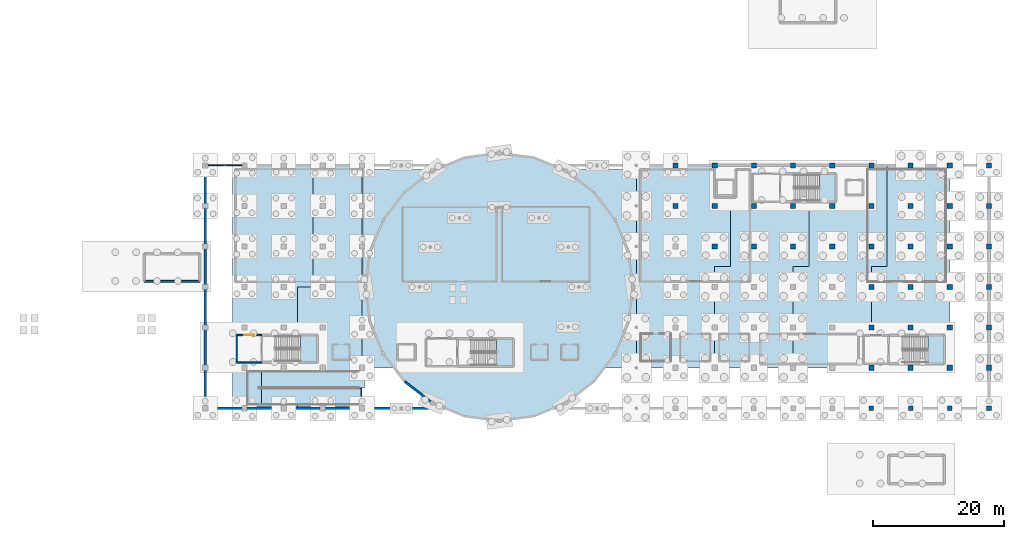
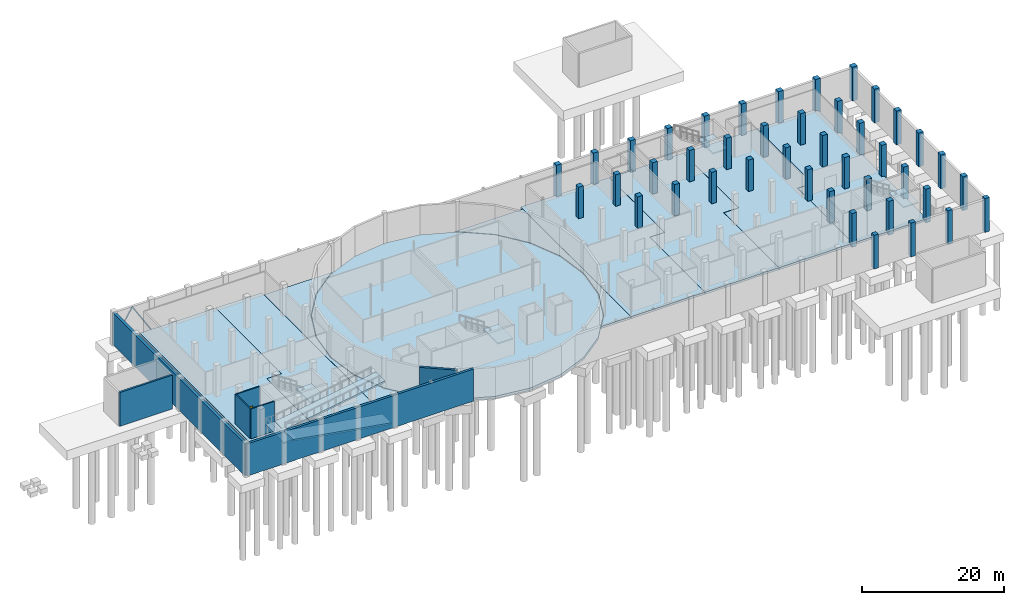
# One storey, part 10 of 19: 42 columns, 16 slabs, 7 walls, 2 members, 1 door, 1 opening, 5 elements without a shape of their own.
"""IFC4 building model written with IfcOpenShell, lengths in metres."""

from ifc_helpers import new_model, si_unit, direction, frame, frame_2d, origin, origin_2d, place, context, subcontext, project, spatial, polyline, rectangle, hollow_circle, outline, extrude, material, layer, layer_set, material_profile, profile_set, type_object, element, fill, aggregate, save


model = new_model("IFC4")

# Units and contexts
model_context = context("Model", 3, precision=1e-05, world=origin(), true_north=direction((0.0, 1.0)))
body_context = subcontext(model_context, "Body", "Model", "MODEL_VIEW")
ifc_project = project(units=[si_unit("LENGTHUNIT", "METRE"), si_unit("AREAUNIT", "SQUARE_METRE"), si_unit("VOLUMEUNIT", "CUBIC_METRE"), si_unit("PLANEANGLEUNIT", "RADIAN"), si_unit("MASSUNIT", "GRAM", prefix="KILO")], contexts=[model_context])

# Site, building, storey
site_placement = place(None, origin())
site = spatial("IfcSite", under=ifc_project, at=site_placement, CompositionType="ELEMENT")
building_placement = place(site_placement, origin())
building = spatial("IfcBuilding", under=site, at=building_placement, Name="Mirzam Square Science Centre", CompositionType="ELEMENT")
storey_placement = place(building_placement, frame((0.0, 0.0, -5.39990234375)))
storey = spatial("IfcBuildingStorey", under=building, at=storey_placement, Name="B01", CompositionType="ELEMENT", Elevation=-5.39990234375)

# Columns
ifc_material_1 = material(Name="Concrete C45/55", Category="concrete")
ifc_material_profile_1 = material_profile(ifc_material_1, rectangle(XDim=0.699951171875, YDim=0.699951171875, at=origin_2d()), Name="RC700x700")
ifc_profile_set_1 = profile_set([ifc_material_profile_1], Name="Concrete C45/55")
column_type_1 = type_object("IfcColumnType", Name="COL-RC700", PredefinedType="COLUMN", material=ifc_profile_set_1)
for number, where, z_axis, x_axis, name in (
    (1, (138.0, 43.39990234375, -0.400146484375), (0.0, 0.0, 1.0), (1.0, 0.0, 0.0), "B01 column G24-08"),
    (2, (144.0, 43.39990234375, -0.400146484375), (0.0, 0.0, 1.0), (1.0, 0.0, 0.0), "B01 column G25-08"),
    (3, (150.0, 43.39990234375, -0.400146484375), (0.0, 0.0, 1.0), (1.0, 0.0, 0.0), "B01 column G26-08"),
    (4, (156.0, 43.39990234375, -0.400146484375), (0.0, 0.0, 1.0), (1.0, 0.0, 0.0), "B01 column G27-08"),
):
    element("IfcColumn", number, at=place(storey_placement, frame(where, z_axis=z_axis, x_axis=x_axis)), inside=storey, type_object=column_type_1, Name=name, PredefinedType="COLUMN", context=body_context, shape_type="SweptSolid", body=[
        extrude(rectangle(XDim=0.699951171875, YDim=0.699951171875, at=origin_2d()), origin(), (0.0, 0.0, 1.0), 5.800048828125),
    ])
ifc_material_profile_2 = material_profile(ifc_material_1, rectangle(XDim=0.800048828125, YDim=0.800048828125, at=origin_2d()), Name="RC800x800")
ifc_profile_set_2 = profile_set([ifc_material_profile_2], Name="Concrete C45/55")
column_type_2 = type_object("IfcColumnType", Name="COL-RC800", PredefinedType="COLUMN", material=ifc_profile_set_2)
for number, where, z_axis, x_axis, name in (
    (5, (108.0, 74.39990234375, -0.400146484375), (0.0, 0.0, 1.0), (1.0, 0.0, 0.0), "B01 column G19-13"),
    (6, (108.0, 80.60009765625, -0.400146484375), (0.0, 0.0, 1.0), (1.0, 0.0, 0.0), "B01 column G19-14"),
    (7, (114.0, 68.199951171875, -0.400146484375), (0.0, 0.0, 1.0), (1.0, 0.0, 0.0), "B01 column G20-12"),
    (8, (114.0, 74.39990234375, -0.400146484375), (0.0, 0.0, 1.0), (1.0, 0.0, 0.0), "B01 column G20-13"),
    (9, (114.0, 80.60009765625, -0.400146484375), (0.0, 0.0, 1.0), (1.0, 0.0, 0.0), "B01 column G20-14"),
    (10, (120.0, 68.199951171875, -0.400146484375), (0.0, 0.0, 1.0), (1.0, 0.0, 0.0), "B01 column G21-12"),
    (11, (120.0, 74.39990234375, -0.400146484375), (0.0, 0.0, 1.0), (1.0, 0.0, 0.0), "B01 column G21-13"),
    (12, (120.0, 80.60009765625, -0.400146484375), (0.0, 0.0, 1.0), (1.0, 0.0, 0.0), "B01 column G21-14"),
    (13, (126.0, 68.199951171875, -0.400146484375), (0.0, 0.0, 1.0), (1.0, 0.0, 0.0), "B01 column G22-12"),
    (14, (126.0, 74.39990234375, -0.400146484375), (0.0, 0.0, 1.0), (1.0, 0.0, 0.0), "B01 column G22-13"),
    (15, (126.0, 80.60009765625, -0.400146484375), (0.0, 0.0, 1.0), (1.0, 0.0, 0.0), "B01 column G22-14"),
    (16, (132.0, 68.199951171875, -0.400146484375), (0.0, 0.0, 1.0), (1.0, 0.0, 0.0), "B01 column G23-12"),
    (17, (132.0, 74.39990234375, -0.400146484375), (0.0, 0.0, 1.0), (1.0, 0.0, 0.0), "B01 column G23-13"),
    (18, (132.0, 80.60009765625, -0.400146484375), (0.0, 0.0, 1.0), (1.0, 0.0, 0.0), "B01 column G23-14"),
    (19, (138.0, 49.60009765625, -0.400146484375), (0.0, 0.0, 1.0), (1.0, 0.0, 0.0), "B01 column G24-09"),
    (20, (138.0, 55.800048828125, -0.400146484375), (0.0, 0.0, 1.0), (1.0, 0.0, 0.0), "B01 column G24-10"),
    (21, (138.0, 62.0, -0.400146484375), (0.0, 0.0, 1.0), (1.0, 0.0, 0.0), "B01 column G24-11"),
    (22, (138.0, 68.199951171875, -0.400146484375), (0.0, 0.0, 1.0), (1.0, 0.0, 0.0), "B01 column G24-12"),
    (23, (138.0, 74.39990234375, -0.400146484375), (0.0, 0.0, 1.0), (1.0, 0.0, 0.0), "B01 column G24-13"),
    (24, (138.0, 80.60009765625, -0.400146484375), (0.0, 0.0, 1.0), (1.0, 0.0, 0.0), "B01 column G24-14"),
    (25, (144.0, 49.60009765625, -0.400146484375), (0.0, 0.0, 1.0), (1.0, 0.0, 0.0), "B01 column G25-09"),
    (26, (144.0, 55.800048828125, -0.400146484375), (0.0, 0.0, 1.0), (1.0, 0.0, 0.0), "B01 column G25-10"),
    (27, (144.0, 62.0, -0.400146484375), (0.0, 0.0, 1.0), (1.0, 0.0, 0.0), "B01 column G25-11"),
    (28, (144.0, 68.199951171875, -0.400146484375), (0.0, 0.0, 1.0), (1.0, 0.0, 0.0), "B01 column G25-12"),
    (29, (144.0, 74.39990234375, -0.400146484375), (0.0, 0.0, 1.0), (1.0, 0.0, 0.0), "B01 column G25-13"),
    (30, (144.0, 80.60009765625, -0.400146484375), (0.0, 0.0, 1.0), (1.0, 0.0, 0.0), "B01 column G25-14"),
    (31, (150.0, 49.60009765625, -0.400146484375), (0.0, 0.0, 1.0), (1.0, 0.0, 0.0), "B01 column G26-09"),
    (32, (150.0, 55.800048828125, -0.400146484375), (0.0, 0.0, 1.0), (1.0, 0.0, 0.0), "B01 column G26-10"),
    (33, (150.0, 62.0, -0.400146484375), (0.0, 0.0, 1.0), (1.0, 0.0, 0.0), "B01 column G26-11"),
    (34, (150.0, 68.199951171875, -0.400146484375), (0.0, 0.0, 1.0), (1.0, 0.0, 0.0), "B01 column G26-12"),
    (35, (150.0, 74.39990234375, -0.400146484375), (0.0, 0.0, 1.0), (1.0, 0.0, 0.0), "B01 column G26-13"),
    (36, (150.0, 80.60009765625, -0.400146484375), (0.0, 0.0, 1.0), (1.0, 0.0, 0.0), "B01 column G26-14"),
    (37, (156.0, 49.60009765625, -0.400146484375), (0.0, 0.0, 1.0), (1.0, 0.0, 0.0), "B01 column G27-09"),
    (38, (156.0, 55.800048828125, -0.400146484375), (0.0, 0.0, 1.0), (1.0, 0.0, 0.0), "B01 column G27-10"),
    (39, (156.0, 62.0, -0.400146484375), (0.0, 0.0, 1.0), (1.0, 0.0, 0.0), "B01 column G27-11"),
    (40, (156.0, 68.199951171875, -0.400146484375), (0.0, 0.0, 1.0), (1.0, 0.0, 0.0), "B01 column G27-12"),
    (41, (156.0, 74.39990234375, -0.400146484375), (0.0, 0.0, 1.0), (1.0, 0.0, 0.0), "B01 column G27-13"),
    (42, (156.0, 80.60009765625, -0.400146484375), (0.0, 0.0, 1.0), (1.0, 0.0, 0.0), "B01 column G27-14"),
):
    element("IfcColumn", number, at=place(storey_placement, frame(where, z_axis=z_axis, x_axis=x_axis)), inside=storey, type_object=column_type_2, Name=name, PredefinedType="COLUMN", context=body_context, shape_type="SweptSolid", body=[
        extrude(rectangle(XDim=0.800048828125, YDim=0.800048828125, at=origin_2d()), origin(), (0.0, 0.0, 1.0), 5.800048828125),
    ])

# Members
ifc_material_2 = material(Name="Steel S355", Category="steel")
ifc_material_profile_3 = material_profile(ifc_material_2, hollow_circle(Radius=0.109619140625, WallThickness=0.010009765625, at=origin_2d()), Name="219.1x10.0CHS")
ifc_profile_set_3 = profile_set([ifc_material_profile_3], Name="Steel S355")
member_type = type_object("IfcMemberType", Name="BR-CHS219", PredefinedType="BRACE", material=ifc_profile_set_3)
for number, where, z_axis, x_axis, name in (
    (43, (36.0, 80.60009765625, 0.0498046875), (0.524097425664, 0.0, 0.851658316705), (0.0, 1.0, 0.0), "B01 chevron brace 3A"),
    (44, (42.0, 80.60009765625, 0.0498046875), (-0.524097425664, 0.0, 0.851658316705), (0.0, -1.0, 0.0), "B01 chevron brace 3B"),
):
    element("IfcMember", number, at=place(storey_placement, frame(where, z_axis=z_axis, x_axis=x_axis)), inside=storey, type_object=member_type, Name=name, PredefinedType="BRACE", context=body_context, shape_type="SweptSolid", body=[
        extrude(hollow_circle(Radius=0.109619140625, WallThickness=0.010009765625, at=origin_2d()), origin(), (0.0, 0.0, 1.0), 5.72412109375),
    ])

# Assembly, slabs
element_assembly_type = type_object("IfcElementAssemblyType", Name="RMP-VEH-08", PredefinedType="NOTDEFINED", material=ifc_material_1)
assembly_placement = place(storey_placement, origin())
assembly = element("IfcElementAssembly", 45, at=assembly_placement, inside=storey, type_object=element_assembly_type, Name="B01 two-way car park ramp", PredefinedType="NOTDEFINED")
ifc_layer_1 = layer(ifc_material_1, 0.280029296875)
ifc_layer_set_1 = layer_set([ifc_layer_1], Name="Concrete C45/55")
slab_type_1 = type_object("IfcSlabType", Name="RFL-VEH-280", PredefinedType="FLOOR", material=ifc_layer_set_1)
slab_1_placement = place(storey_placement, frame((59.85009765625, 43.89990234375, 0.0), z_axis=(0.166899609646, 0.0, 0.98597389433), x_axis=(-0.98597389433, 0.0, 0.166899609646)))
slab_1 = element("IfcSlab", 46, at=slab_1_placement, type_object=slab_type_1, Name="B01 vehicle ramp lower flight", PredefinedType="FLOOR", context=body_context, shape_type="SweptSolid", body=[
    extrude(outline(polyline([(0.0, 0.0), (16.177096984236886, 0.0), (16.177096984236886, -2.550048828125), (0.0, -2.550048828125), (0.0, 0.0)])), origin(), (0.0, 0.0, -1.0), 0.280029296875),
])
slab_2_placement = place(storey_placement, frame((43.89990234375, 46.550048828125, 2.699951171875), z_axis=(-0.161961832568, 0.0, 0.986797023096), x_axis=(0.986797023096, 0.0, 0.161961832568)))
slab_2 = element("IfcSlab", 47, at=slab_2_placement, type_object=slab_type_1, Name="B01 vehicle ramp upper flight", PredefinedType="FLOOR", context=body_context, shape_type="SweptSolid", body=[
    extrude(outline(polyline([(0.0, 0.0), (16.6702928033645, 0.0), (16.6702928033645, 2.5500488281250004), (0.0, 2.5500488281250004), (0.0, 0.0)])), origin(), (0.0, 0.0, -1.0), 0.280029296875),
])

# Stair, slab
ifc_material_3 = material(Name="Concrete C40/50", Category="concrete")
stair_type_1 = type_object("IfcStairType", Name="ST-CORE-1-540", PredefinedType="HALF_TURN_STAIR", material=ifc_material_3)
stair_1_placement = place(storey_placement, origin())
stair_1 = element("IfcStair", 48, at=stair_1_placement, inside=storey, type_object=stair_type_1, Name="B01 ST-01", PredefinedType="HALF_TURN_STAIR")
ifc_layer_2 = layer(ifc_material_3, 0.199951171875)
ifc_layer_set_2 = layer_set([ifc_layer_2], Name="SL-LANDING-200")
slab_type_2 = type_object("IfcSlabType", Name="SL-LANDING-200", PredefinedType="LANDING", material=ifc_layer_set_2)
slab_3_placement = place(storey_placement, frame((0.0, 0.0, 2.5)))
slab_3 = element("IfcSlab", 49, at=slab_3_placement, type_object=slab_type_2, Name="ST-01 landing 1", PredefinedType="LANDING", context=body_context, shape_type="SweptSolid", body=[
    extrude(outline(polyline([(50.570068359375, 50.550048828125), (53.050048828125, 50.550048828125), (53.050048828125, 54.5), (50.570068359375, 54.5), (50.570068359375, 50.550048828125)])), origin(), (0.0, 0.0, 1.0), 0.199951171875),
])
aggregate(stair_1, [slab_3])

stair_type_2 = type_object("IfcStairType", Name="ST-CORE-3-540", PredefinedType="HALF_TURN_STAIR", material=ifc_material_3)
stair_2_placement = place(storey_placement, origin())
stair_2 = element("IfcStair", 50, at=stair_2_placement, inside=storey, type_object=stair_type_2, Name="B01 ST-03", PredefinedType="HALF_TURN_STAIR")
slab_4_placement = place(storey_placement, frame((0.0, 0.0, 2.5)))
slab_4 = element("IfcSlab", 51, at=slab_4_placement, type_object=slab_type_2, Name="ST-03 landing 1", PredefinedType="LANDING", context=body_context, shape_type="SweptSolid", body=[
    extrude(outline(polyline([(80.610107421875, 49.949951171875), (83.050048828125, 49.949951171875), (83.050048828125, 53.97998046875), (80.610107421875, 53.97998046875), (80.610107421875, 49.949951171875)])), origin(), (0.0, 0.0, 1.0), 0.199951171875),
])
aggregate(stair_2, [slab_4])

stair_type_3 = type_object("IfcStairType", Name="ST-CORE-4-540", PredefinedType="HALF_TURN_STAIR", material=ifc_material_3)
stair_3_placement = place(storey_placement, origin())
stair_3 = element("IfcStair", 52, at=stair_3_placement, inside=storey, type_object=stair_type_3, Name="B01 ST-04", PredefinedType="HALF_TURN_STAIR")
slab_5_placement = place(storey_placement, frame((0.0, 0.0, 2.5)))
slab_5 = element("IfcSlab", 53, at=slab_5_placement, type_object=slab_type_2, Name="ST-04 landing 1", PredefinedType="LANDING", context=body_context, shape_type="SweptSolid", body=[
    extrude(outline(polyline([(130.030029296875, 75.14990234375), (132.449951171875, 75.14990234375), (132.449951171875, 79.219970703125), (130.030029296875, 79.219970703125), (130.030029296875, 75.14990234375)])), origin(), (0.0, 0.0, 1.0), 0.199951171875),
])
aggregate(stair_3, [slab_5])

stair_type_4 = type_object("IfcStairType", Name="ST-CORE-5-540", PredefinedType="HALF_TURN_STAIR", material=ifc_material_3)
stair_4_placement = place(storey_placement, origin())
stair_4 = element("IfcStair", 54, at=stair_4_placement, inside=storey, type_object=stair_type_4, Name="B01 ST-05", PredefinedType="HALF_TURN_STAIR")
slab_6_placement = place(storey_placement, frame((0.0, 0.0, 2.5)))
slab_6 = element("IfcSlab", 55, at=slab_6_placement, type_object=slab_type_2, Name="ST-05 landing 1", PredefinedType="LANDING", context=body_context, shape_type="SweptSolid", body=[
    extrude(outline(polyline([(146.64990234375, 50.35009765625), (149.050048828125, 50.35009765625), (149.050048828125, 54.4599609375), (146.64990234375, 54.4599609375), (146.64990234375, 50.35009765625)])), origin(), (0.0, 0.0, 1.0), 0.199951171875),
])
aggregate(stair_4, [slab_6])

# Slabs
ifc_layer_3 = layer(ifc_material_1, 0.39990234375)
ifc_layer_set_3 = layer_set([ifc_layer_3], Name="SL-RAFT-400")
slab_type_3 = type_object("IfcSlabType", Name="SL-RAFT-400", PredefinedType="BASESLAB", material=ifc_layer_set_3)
slab_7_placement = place(storey_placement, frame((0.0, 0.0, -0.400146484375)))
element("IfcSlab", 56, at=slab_7_placement, inside=storey, type_object=slab_type_3, Name="B01 drum slab", PredefinedType="BASESLAB", context=body_context, shape_type="SweptSolid", body=[
    extrude(outline(polyline([(101.5, 62.0), (100.801513671875, 67.305908203125), (98.75341796875, 72.25), (95.49560546875, 76.49560546875), (91.25, 79.75341796875), (86.305908203125, 81.801513671875), (81.0, 82.5), (75.694091796875, 81.801513671875), (70.75, 79.75341796875), (66.50439453125, 76.49560546875), (63.24658203125, 72.25), (61.198486328125, 67.305908203125), (60.5, 62.0), (61.198486328125, 56.694091796875), (63.24658203125, 51.75), (66.50439453125, 47.50439453125), (70.75, 44.24658203125), (75.694091796875, 42.198486328125), (81.0, 41.5), (86.305908203125, 42.198486328125), (91.25, 44.24658203125), (95.49560546875, 47.50439453125), (98.75341796875, 51.75), (100.801513671875, 56.694091796875), (101.5, 62.0)])), origin(), (0.0, 0.0, 1.0), 0.400146484375),
])
slab_8_placement = place(storey_placement, frame((0.0, 0.0, -0.400146484375)))
element("IfcSlab", 57, at=slab_8_placement, inside=storey, type_object=slab_type_3, Name="B01 drum link slab", PredefinedType="BASESLAB", context=body_context, shape_type="SweptSolid", body=[
    extrude(outline(polyline([(60.0, 80.0), (71.189697265625, 80.0), (70.719970703125, 79.805419921875), (66.4619140625, 76.5380859375), (63.194580078125, 72.280029296875), (61.140625, 67.3212890625), (60.43994140625, 62.0), (61.140625, 56.6787109375), (63.194580078125, 51.719970703125), (64.8212890625, 49.60009765625), (60.0, 49.60009765625), (60.0, 80.0)])), origin(), (0.0, 0.0, 1.0), 0.400146484375),
])
slab_9_placement = place(storey_placement, frame((0.0, 0.0, -0.400146484375)))
element("IfcSlab", 58, at=slab_9_placement, inside=storey, type_object=slab_type_3, Name="B01 drum link slab", PredefinedType="BASESLAB", context=body_context, shape_type="SweptSolid", body=[
    extrude(outline(polyline([(102.0, 49.60009765625), (97.1787109375, 49.60009765625), (98.805419921875, 51.719970703125), (100.859375, 56.6787109375), (101.56005859375, 62.0), (100.859375, 67.3212890625), (98.805419921875, 72.280029296875), (95.5380859375, 76.5380859375), (91.280029296875, 79.805419921875), (90.810302734375, 80.0), (102.0, 80.0), (102.0, 49.60009765625)])), origin(), (0.0, 0.0, 1.0), 0.400146484375),
])
slab_10_placement = place(storey_placement, frame((0.0, 0.0, -0.400146484375)))
element("IfcSlab", 59, at=slab_10_placement, inside=storey, type_object=slab_type_3, Name="B01 wedge 1 slab", PredefinedType="BASESLAB", context=body_context, shape_type="SweptSolid", body=[
    extrude(outline(polyline([(40.199951171875, 43.39990234375), (40.199951171875, 80.60009765625), (52.5, 80.60009765625), (52.5, 62.0), (50.10009765625, 62.0), (50.10009765625, 43.39990234375), (40.199951171875, 43.39990234375)])), origin(), (0.0, 0.0, 1.0), 0.400146484375),
])
slab_11_placement = place(storey_placement, frame((0.0, 0.0, -0.400146484375)))
element("IfcSlab", 60, at=slab_11_placement, inside=storey, type_object=slab_type_3, Name="B01 wedge 2 slab", PredefinedType="BASESLAB", context=body_context, shape_type="SweptSolid", body=[
    extrude(outline(polyline([(60.0, 43.39990234375), (50.10498046875, 43.39990234375), (50.10498046875, 61.9951171875), (52.5048828125, 61.9951171875), (52.5048828125, 80.60009765625), (60.0, 80.60009765625), (60.0, 80.0048828125), (59.9951171875, 49.594970703125), (60.0, 43.39990234375)])), origin(), (0.0, 0.0, 1.0), 0.400146484375),
])
slab_12_placement = place(storey_placement, frame((0.0, 0.0, -0.400146484375)))
element("IfcSlab", 61, at=slab_12_placement, inside=storey, type_object=slab_type_3, Name="B01 east 1 slab", PredefinedType="BASESLAB", context=body_context, shape_type="SweptSolid", body=[
    extrude(outline(polyline([(102.0, 80.60009765625), (116.39990234375, 80.60009765625), (116.39990234375, 65.10009765625), (114.0, 65.10009765625), (114.0, 49.60009765625), (102.0048828125, 49.60009765625), (102.0048828125, 80.0048828125), (102.0, 80.60009765625)])), origin(), (0.0, 0.0, 1.0), 0.400146484375),
])
slab_13_placement = place(storey_placement, frame((0.0, 0.0, -0.400146484375)))
element("IfcSlab", 62, at=slab_13_placement, inside=storey, type_object=slab_type_3, Name="B01 east 2 slab", PredefinedType="BASESLAB", context=body_context, shape_type="SweptSolid", body=[
    extrude(outline(polyline([(128.39990234375, 80.60009765625), (128.39990234375, 65.10009765625), (126.0, 65.10009765625), (126.0, 49.60009765625), (114.0048828125, 49.60009765625), (114.0048828125, 65.094970703125), (116.405029296875, 65.094970703125), (116.405029296875, 80.60009765625), (128.39990234375, 80.60009765625)])), origin(), (0.0, 0.0, 1.0), 0.400146484375),
])
slab_14_placement = place(storey_placement, frame((0.0, 0.0, -0.400146484375)))
element("IfcSlab", 63, at=slab_14_placement, inside=storey, type_object=slab_type_3, Name="B01 east 3 slab", PredefinedType="BASESLAB", context=body_context, shape_type="SweptSolid", body=[
    extrude(outline(polyline([(140.39990234375, 80.60009765625), (140.39990234375, 65.10009765625), (138.0, 65.10009765625), (138.0, 49.60009765625), (126.0048828125, 49.60009765625), (126.0048828125, 65.094970703125), (128.405029296875, 65.094970703125), (128.405029296875, 80.60009765625), (140.39990234375, 80.60009765625)])), origin(), (0.0, 0.0, 1.0), 0.400146484375),
])
slab_15_placement = place(storey_placement, frame((0.0, 0.0, -0.400146484375)))
element("IfcSlab", 64, at=slab_15_placement, inside=storey, type_object=slab_type_3, Name="B01 east 4 slab", PredefinedType="BASESLAB", context=body_context, shape_type="SweptSolid", body=[
    extrude(outline(polyline([(150.0, 80.60009765625), (150.0, 49.60009765625), (138.0048828125, 49.60009765625), (138.0048828125, 65.094970703125), (140.405029296875, 65.094970703125), (140.405029296875, 80.60009765625), (150.0, 80.60009765625)])), origin(), (0.0, 0.0, 1.0), 0.400146484375),
])

# Slab
ifc_layer_4 = layer(ifc_material_1, 0.300048828125)
ifc_layer_set_4 = layer_set([ifc_layer_4], Name="Concrete C45/55")
slab_type_4 = type_object("IfcSlabType", Name="SL-RAMP-LAND-300", PredefinedType="LANDING", material=ifc_layer_set_4)
slab_16_placement = place(storey_placement, frame((0.0, 0.0, 2.39990234375)))
slab_16 = element("IfcSlab", 65, at=slab_16_placement, type_object=slab_type_4, Name="B01 vehicle ramp turning landing", PredefinedType="LANDING", context=body_context, shape_type="SweptSolid", body=[
    extrude(outline(polyline([(42.39990234375, 43.89990234375), (44.60009765625, 43.89990234375), (44.60009765625, 49.10009765625), (42.39990234375, 49.10009765625), (42.39990234375, 43.89990234375)])), origin(), (0.0, 0.0, 1.0), 0.300048828125),
])

aggregate(assembly, [slab_1, slab_16, slab_2])

# Walls
ifc_layer_5 = layer(ifc_material_1, 0.300048828125)
ifc_layer_set_5 = layer_set([ifc_layer_5], Name="W-CORE-300")
wall_type_1 = type_object("IfcWallType", Name="W-CORE-300", PredefinedType="SHEAR", material=ifc_layer_set_5)
wall_1_placement = place(storey_placement, frame((26.639892578125, 62.840087890625, -0.400146484375), z_axis=(0.0, 0.0, 1.0), x_axis=(1.0, 0.0, 0.0)))
element("IfcWall", 66, at=wall_1_placement, inside=storey, type_object=wall_type_1, Name="B01 CORE-2 foundation south wall", PredefinedType="SHEAR", context=body_context, shape_type="SweptSolid", body=[
    extrude(rectangle(XDim=8.52001953125, YDim=0.300048828125, at=frame_2d((4.260009765625, 0.0))), origin(), (0.0, 0.0, 1.0), 5.800048828125),
])
ifc_layer_6 = layer(ifc_material_1, 0.35009765625)
ifc_layer_set_6 = layer_set([ifc_layer_6], Name="W-DRUM-350")
wall_type_2 = type_object("IfcWallType", Name="W-DRUM-350", PredefinedType="SHEAR", material=ifc_layer_set_6)
wall_2_placement = place(storey_placement, frame((66.50439453125, 47.50439453125, -0.400146484375), z_axis=(0.0, 0.0, 1.0), x_axis=(0.793349293227, -0.60876670321, 0.0)))
element("IfcWall", 67, at=wall_2_placement, inside=storey, type_object=wall_type_2, Name="B01 planetarium drum wall 16", PredefinedType="SHEAR", context=body_context, shape_type="SweptSolid", body=[
    extrude(rectangle(XDim=5.3515625, YDim=0.35009765625, at=frame_2d((2.67578125, 0.0))), origin(), (0.0, 0.0, 1.0), 5.5),
])
ifc_layer_7 = layer(ifc_material_1, 0.199951171875)
ifc_layer_set_7 = layer_set([ifc_layer_7], Name="W-LOBBY-200")
wall_type_3 = type_object("IfcWallType", Name="W-LOBBY-200", PredefinedType="SHEAR", material=ifc_layer_set_7)
wall_3_placement = place(storey_placement, frame((40.800048828125, 50.43994140625, 0.0), z_axis=(0.0, 0.0, 1.0), x_axis=(1.0, 0.0, 0.0)))
element("IfcWall", 68, at=wall_3_placement, inside=storey, type_object=wall_type_3, Name="B01 CORE-1 lobby south wall", PredefinedType="SHEAR", context=body_context, shape_type="SweptSolid", body=[
    extrude(rectangle(XDim=3.83984375, YDim=0.199951171875, at=frame_2d((1.919921875, 0.0))), origin(), (0.0, 0.0, 1.0), 5.099853515625),
])

# Wall, opening, door
wall_4_placement = place(storey_placement, frame((44.639892578125, 54.610107421875, 0.0), z_axis=(0.0, 0.0, 1.0), x_axis=(-1.0, 0.0, 0.0)))
wall_4 = element("IfcWall", 69, at=wall_4_placement, inside=storey, type_object=wall_type_3, Name="B01 CORE-1 lobby north wall", PredefinedType="SHEAR", context=body_context, shape_type="SweptSolid", body=[
    extrude(rectangle(XDim=3.83984375, YDim=0.199951171875, at=frame_2d((1.919921875, 0.0))), origin(), (0.0, 0.0, 1.0), 5.099853515625),
])
opening_placement = place(wall_4_placement, frame((1.14501953125, 0.0, 0.0)))
opening = element("IfcOpeningElement", 70, at=opening_placement, cuts=wall_4, Name="Opening DL-01", PredefinedType="OPENING", context=body_context, shape_type="SweptSolid", body=[
    extrude(rectangle(XDim=1.550048828125, YDim=2.199951171875, at=frame_2d((0.77490234375, 1.10009765625))), frame((0.0, 0.10986328125, 0.0), z_axis=(0.0, -1.0, 0.0), x_axis=(1.0, 0.0, 0.0)), (0.0, 0.0, 1.0), 0.219970703125),
])
ifc_material_4 = material(Name="Fire-Rated Glazed Architectural Steel Lobby Door", Category="steel")
door_type = type_object("IfcDoorType", Name="DR-LOBBY-1550x2200", OperationType="DOUBLE_DOOR_SINGLE_SWING", PredefinedType="DOOR", material=ifc_material_4)
door_placement = place(opening_placement, origin())
door = element("IfcDoor", 71, at=door_placement, inside=storey, type_object=door_type, Name="DRL-1-B01", OperationType="SINGLE_SWING_LEFT", OverallHeight=2.199951171875, OverallWidth=1.550048828125, PredefinedType="DOOR", context=body_context, shape_type="SweptSolid", body=[
    extrude(rectangle(XDim=1.550048828125, YDim=2.199951171875, at=frame_2d((0.77490234375, 1.10009765625))), frame((0.0, 0.02490234375, 0.0), z_axis=(0.0, -1.0, 0.0), x_axis=(1.0, 0.0, 0.0)), (0.0, 0.0, 1.0), 0.050048828125),
])
fill(opening, door)

# Walls
wall_5_placement = place(storey_placement, frame((40.800048828125, 54.610107421875, 0.0), z_axis=(0.0, 0.0, 1.0), x_axis=(0.0, -1.0, 0.0)))
element("IfcWall", 72, at=wall_5_placement, inside=storey, type_object=wall_type_3, Name="B01 CORE-1 lobby west wall", PredefinedType="SHEAR", context=body_context, shape_type="SweptSolid", body=[
    extrude(rectangle(XDim=4.170166015625, YDim=0.199951171875, at=frame_2d((2.0849609375, 0.0))), origin(), (0.0, 0.0, 1.0), 5.099853515625),
])
ifc_layer_8 = layer(ifc_material_1, 0.39990234375)
ifc_layer_set_8 = layer_set([ifc_layer_8], Name="W-RET-400")
wall_type_4 = type_object("IfcWallType", Name="W-RET-400", PredefinedType="USERDEFINED", material=ifc_layer_set_8)
wall_6_placement = place(storey_placement, frame((72.793701171875, 43.39990234375, -0.400146484375), z_axis=(0.0, 0.0, 1.0), x_axis=(-1.0, 0.0, 0.0)))
element("IfcWall", 73, at=wall_6_placement, inside=storey, type_object=wall_type_4, Name="B01 tanked retaining wall 11", ObjectType="RETAINING WALL", PredefinedType="USERDEFINED", context=body_context, shape_type="SweptSolid", body=[
    extrude(rectangle(XDim=36.793701171875, YDim=0.39990234375, at=frame_2d((18.39697265625, 0.0))), origin(), (0.0, 0.0, 1.0), 5.5),
])
wall_7_placement = place(storey_placement, frame((36.0, 43.39990234375, -0.400146484375), z_axis=(0.0, 0.0, 1.0), x_axis=(0.0, 1.0, 0.0)))
element("IfcWall", 74, at=wall_7_placement, inside=storey, type_object=wall_type_4, Name="B01 tanked retaining wall 12", ObjectType="RETAINING WALL", PredefinedType="USERDEFINED", context=body_context, shape_type="SweptSolid", body=[
    extrude(rectangle(XDim=37.2001953125, YDim=0.39990234375, at=frame_2d((18.60009765625, 0.0))), origin(), (0.0, 0.0, 1.0), 5.5),
])

save(model, "model.ifc")
